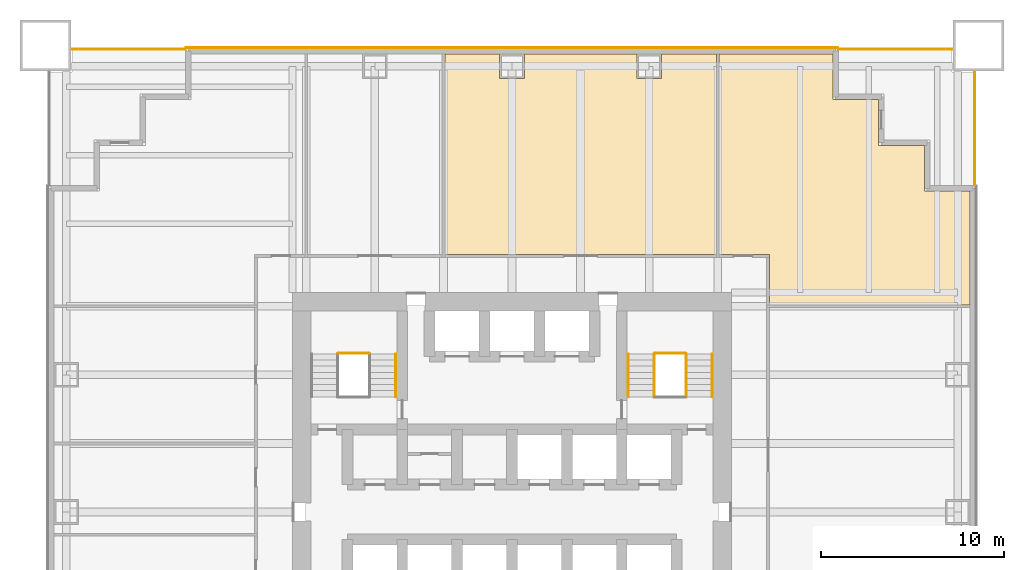
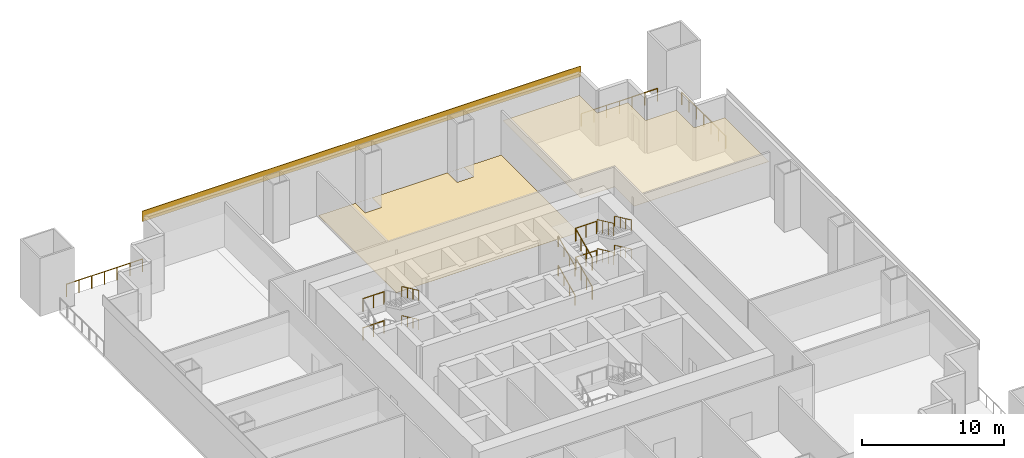
# One storey, part 6 of 6: 17 railings, 3 coverings.
"""IFC4 building model written with IfcOpenShell, lengths in metres."""

from ifc_helpers import new_model, si_unit, direction, frame, origin, origin_2d, place, context, subcontext, project, spatial, polyline, rectangle, circle, outline, extrude, material, layer, layer_set, type_object, element, save


model = new_model("IFC4")

# Units and contexts
model_context = context("Model", 3, precision=1e-05, world=origin(), true_north=direction((0.0, 1.0)))
body_context = subcontext(model_context, "Body", "Model", "MODEL_VIEW")
ifc_project = project(units=[si_unit("LENGTHUNIT", "METRE"), si_unit("AREAUNIT", "SQUARE_METRE"), si_unit("VOLUMEUNIT", "CUBIC_METRE"), si_unit("PLANEANGLEUNIT", "RADIAN"), si_unit("MASSUNIT", "GRAM", prefix="KILO")], contexts=[model_context])

# Site, building, storey
site_placement = place(None, origin())
site = spatial("IfcSite", under=ifc_project, at=site_placement, CompositionType="ELEMENT")
building_placement = place(site_placement, origin())
building = spatial("IfcBuilding", under=site, at=building_placement, Name="Tarangal Relay Tower", CompositionType="ELEMENT")
storey_placement = place(building_placement, frame((0.0, 0.0, 93.39990234375)))
storey = spatial("IfcBuildingStorey", under=building, at=storey_placement, Name="L18", CompositionType="ELEMENT", Elevation=93.39990234375)

# Coverings
ifc_material_1 = material(Name="Anti-static vinyl flooring", Category="plastic")
ifc_layer_1 = layer(ifc_material_1, 0.010009765625)
ifc_layer_set_1 = layer_set([ifc_layer_1], Name="Anti-static vinyl floor")
covering_type_1 = type_object("IfcCoveringType", Name="Anti-static vinyl floor", PredefinedType="FLOORING", material=ifc_layer_set_1)
covering_1_placement = place(storey_placement, origin())
element("IfcCovering", 1, at=covering_1_placement, inside=storey, type_object=covering_type_1, Name="Floor finish FL1 L18-03", PredefinedType="FLOORING", context=body_context, shape_type="SweptSolid", body=[
    extrude(outline(polyline([(11.175048828125, 25.050048828125), (-3.675048828125, 25.050048828125), (-3.675048828125, 14.074951171875), (11.175048828125, 14.074951171875), (11.175048828125, 25.050048828125)]), holes=[polyline([(0.675048828125, 23.68994140625), (0.675048828125, 25.0400390625), (-0.675048828125, 25.0400390625), (-0.675048828125, 23.68994140625), (0.675048828125, 23.68994140625)]), polyline([(8.175048828125, 23.68994140625), (8.175048828125, 25.0400390625), (6.824951171875, 25.0400390625), (6.824951171875, 23.68994140625), (8.175048828125, 23.68994140625)])]), origin(), (0.0, 0.0, 1.0), 0.010009765625),
])
ifc_material_2 = material(Name="Black anodised aluminium cladding", Category="aluminium")
ifc_layer_2 = layer(ifc_material_2, 0.050048828125)
ifc_layer_set_2 = layer_set([ifc_layer_2], Name="Black metal spandrel band")
covering_type_2 = type_object("IfcCoveringType", Name="Black metal spandrel band", PredefinedType="CLADDING", material=ifc_layer_set_2)
covering_2_placement = place(storey_placement, frame((0.0, 25.375, 4.250244140625), z_axis=(0.0, 0.0, 1.0), x_axis=(1.0, 0.0, 0.0)))
element("IfcCovering", 2, at=covering_2_placement, inside=storey, type_object=covering_type_2, Name="Spandrel band SB1 N L18", PredefinedType="CLADDING", context=body_context, shape_type="SweptSolid", body=[
    extrude(rectangle(XDim=35.699951171875, YDim=0.050048828125, at=origin_2d()), origin(), (0.0, 0.0, 1.0), 0.89990234375),
])

# Railings
ifc_material_3 = material(Name="Steel guard, black finish", Category="steel")
railing_type_1 = type_object("IfcRailingType", Name="Stair guard 1100", PredefinedType="GUARDRAIL", material=ifc_material_3)
for number, where, name in (
    (3, (-9.5, 8.675048828125, 1.25), "Stair ST-A landing guard GR1 L18"),
    (4, (-9.5, 8.675048828125, 3.75), "Stair ST-A landing guard GR1 L18"),
):
    element("IfcRailing", number, at=place(storey_placement, frame(where)), inside=storey, type_object=railing_type_1, Name=name, PredefinedType="GUARDRAIL", context=body_context, shape_type="SweptSolid", body=[
        extrude(circle(Radius=0.02392578125, at=origin_2d()), frame((0.0, 0.0, 1.076171875), z_axis=(1.0, 0.0, 0.0), x_axis=(0.0, 1.0, 0.0)), (0.0, 0.0, 1.0), 1.699951171875),
        extrude(circle(Radius=0.02099609375, at=origin_2d()), origin(), (0.0, 0.0, 1.0), 1.052001953125),
        extrude(circle(Radius=0.02099609375, at=origin_2d()), frame((0.85009765625, 0.0, 0.0)), (0.0, 0.0, 1.0), 1.052001953125),
        extrude(circle(Radius=0.02099609375, at=origin_2d()), frame((1.699951171875, 0.0, 0.0)), (0.0, 0.0, 1.0), 1.052001953125),
    ])
railing_1_placement = place(storey_placement, frame((7.77001953125, 6.300048828125, 0.156494140625)))
element("IfcRailing", 5, at=railing_1_placement, inside=storey, type_object=railing_type_1, Name="Stair ST-B guard GR1 L18 flight 1", PredefinedType="GUARDRAIL", context=body_context, shape_type="SweptSolid", body=[
    extrude(circle(Radius=0.02392578125, at=origin_2d()), frame((0.0, 0.0, 1.076171875), z_axis=(0.0, 0.906303632821, 0.42262717037), x_axis=(-1.0, 0.0, 0.0)), (0.0, 0.0, 1.0), 2.58740234375),
    extrude(circle(Radius=0.02099609375, at=origin_2d()), origin(), (0.0, 0.0, 1.0), 1.052001953125),
    extrude(circle(Radius=0.02099609375, at=origin_2d()), frame((0.0, 0.78173828125, 0.364501953125)), (0.0, 0.0, 1.0), 1.052001953125),
    extrude(circle(Radius=0.02099609375, at=origin_2d()), frame((0.0, 1.563232421875, 0.72900390625)), (0.0, 0.0, 1.0), 1.052001953125),
    extrude(circle(Radius=0.02099609375, at=origin_2d()), frame((0.0, 2.344970703125, 1.093505859375)), (0.0, 0.0, 1.0), 1.052001953125),
])
railing_2_placement = place(storey_placement, frame((9.530029296875, 8.64501953125, 1.406494140625)))
element("IfcRailing", 6, at=railing_2_placement, inside=storey, type_object=railing_type_1, Name="Stair ST-B guard GR1 L18 flight 2", PredefinedType="GUARDRAIL", context=body_context, shape_type="SweptSolid", body=[
    extrude(circle(Radius=0.02392578125, at=origin_2d()), frame((0.0, 0.0, 1.076171875), z_axis=(0.0, -0.906303632821, 0.42262717037), x_axis=(1.0, 0.0, 0.0)), (0.0, 0.0, 1.0), 2.58740234375),
    extrude(circle(Radius=0.02099609375, at=origin_2d()), origin(), (0.0, 0.0, 1.0), 1.052001953125),
    extrude(circle(Radius=0.02099609375, at=origin_2d()), frame((0.0, -0.78173828125, 0.364501953125)), (0.0, 0.0, 1.0), 1.052001953125),
    extrude(circle(Radius=0.02099609375, at=origin_2d()), frame((0.0, -1.563232421875, 0.72900390625)), (0.0, 0.0, 1.0), 1.052001953125),
    extrude(circle(Radius=0.02099609375, at=origin_2d()), frame((0.0, -2.344970703125, 1.093505859375)), (0.0, 0.0, 1.0), 1.052001953125),
])
railing_3_placement = place(storey_placement, frame((7.77001953125, 6.300048828125, 2.656494140625)))
element("IfcRailing", 7, at=railing_3_placement, inside=storey, type_object=railing_type_1, Name="Stair ST-B guard GR1 L18 flight 3", PredefinedType="GUARDRAIL", context=body_context, shape_type="SweptSolid", body=[
    extrude(circle(Radius=0.02392578125, at=origin_2d()), frame((0.0, 0.0, 1.076171875), z_axis=(0.0, 0.906303632821, 0.42262717037), x_axis=(-1.0, 0.0, 0.0)), (0.0, 0.0, 1.0), 2.58740234375),
    extrude(circle(Radius=0.02099609375, at=origin_2d()), origin(), (0.0, 0.0, 1.0), 1.052001953125),
    extrude(circle(Radius=0.02099609375, at=origin_2d()), frame((0.0, 0.78173828125, 0.364501953125)), (0.0, 0.0, 1.0), 1.052001953125),
    extrude(circle(Radius=0.02099609375, at=origin_2d()), frame((0.0, 1.563232421875, 0.72900390625)), (0.0, 0.0, 1.0), 1.052001953125),
    extrude(circle(Radius=0.02099609375, at=origin_2d()), frame((0.0, 2.344970703125, 1.093505859375)), (0.0, 0.0, 1.0), 1.052001953125),
])
railing_4_placement = place(storey_placement, frame((9.530029296875, 8.64501953125, 3.906494140625)))
element("IfcRailing", 8, at=railing_4_placement, inside=storey, type_object=railing_type_1, Name="Stair ST-B guard GR1 L18 flight 4", PredefinedType="GUARDRAIL", context=body_context, shape_type="SweptSolid", body=[
    extrude(circle(Radius=0.02392578125, at=origin_2d()), frame((0.0, 0.0, 1.076171875), z_axis=(0.0, -0.906303632821, 0.42262717037), x_axis=(1.0, 0.0, 0.0)), (0.0, 0.0, 1.0), 2.58740234375),
    extrude(circle(Radius=0.02099609375, at=origin_2d()), origin(), (0.0, 0.0, 1.0), 1.052001953125),
    extrude(circle(Radius=0.02099609375, at=origin_2d()), frame((0.0, -0.78173828125, 0.364501953125)), (0.0, 0.0, 1.0), 1.052001953125),
    extrude(circle(Radius=0.02099609375, at=origin_2d()), frame((0.0, -1.563232421875, 0.72900390625)), (0.0, 0.0, 1.0), 1.052001953125),
    extrude(circle(Radius=0.02099609375, at=origin_2d()), frame((0.0, -2.344970703125, 1.093505859375)), (0.0, 0.0, 1.0), 1.052001953125),
])
for number, where, name in (
    (9, (7.800048828125, 8.675048828125, 1.25), "Stair ST-B landing guard GR1 L18"),
    (10, (7.800048828125, 8.675048828125, 3.75), "Stair ST-B landing guard GR1 L18"),
):
    element("IfcRailing", number, at=place(storey_placement, frame(where)), inside=storey, type_object=railing_type_1, Name=name, PredefinedType="GUARDRAIL", context=body_context, shape_type="SweptSolid", body=[
        extrude(circle(Radius=0.02392578125, at=origin_2d()), frame((0.0, 0.0, 1.076171875), z_axis=(1.0, 0.0, 0.0), x_axis=(0.0, 1.0, 0.0)), (0.0, 0.0, 1.0), 1.699951171875),
        extrude(circle(Radius=0.02099609375, at=origin_2d()), origin(), (0.0, 0.0, 1.0), 1.052001953125),
        extrude(circle(Radius=0.02099609375, at=origin_2d()), frame((0.85009765625, 0.0, 0.0)), (0.0, 0.0, 1.0), 1.052001953125),
        extrude(circle(Radius=0.02099609375, at=origin_2d()), frame((1.699951171875, 0.0, 0.0)), (0.0, 0.0, 1.0), 1.052001953125),
    ])
ifc_material_4 = material(Name="Steel handrail, black finish", Category="steel")
railing_type_2 = type_object("IfcRailingType", Name="Stair handrail 900", PredefinedType="HANDRAIL", material=ifc_material_4)
for number, where, name in (
    (11, (-6.360107421875, 8.64501953125, 1.406494140625), "Stair ST-A handrail HR1 L18 flight 2"),
    (12, (-6.360107421875, 8.64501953125, 3.906494140625), "Stair ST-A handrail HR1 L18 flight 4"),
):
    element("IfcRailing", number, at=place(storey_placement, frame(where)), inside=storey, type_object=railing_type_2, Name=name, PredefinedType="HANDRAIL", context=body_context, shape_type="SweptSolid", body=[
        extrude(circle(Radius=0.02392578125, at=origin_2d()), frame((0.0, 0.0, 0.8759765625), z_axis=(0.0, -0.906303632821, 0.42262717037), x_axis=(1.0, 0.0, 0.0)), (0.0, 0.0, 1.0), 2.58740234375),
        extrude(circle(Radius=0.02099609375, at=origin_2d()), origin(), (0.0, 0.0, 1.0), 0.851806640625),
        extrude(circle(Radius=0.02099609375, at=origin_2d()), frame((0.0, -0.78173828125, 0.364501953125)), (0.0, 0.0, 1.0), 0.851806640625),
        extrude(circle(Radius=0.02099609375, at=origin_2d()), frame((0.0, -1.563232421875, 0.72900390625)), (0.0, 0.0, 1.0), 0.851806640625),
        extrude(circle(Radius=0.02099609375, at=origin_2d()), frame((0.0, -2.344970703125, 1.093505859375)), (0.0, 0.0, 1.0), 0.851806640625),
    ])
railing_5_placement = place(storey_placement, frame((6.360107421875, 6.300048828125, 0.156494140625)))
element("IfcRailing", 13, at=railing_5_placement, inside=storey, type_object=railing_type_2, Name="Stair ST-B handrail HR1 L18 flight 1", PredefinedType="HANDRAIL", context=body_context, shape_type="SweptSolid", body=[
    extrude(circle(Radius=0.02392578125, at=origin_2d()), frame((0.0, 0.0, 0.8759765625), z_axis=(0.0, 0.906303632821, 0.42262717037), x_axis=(-1.0, 0.0, 0.0)), (0.0, 0.0, 1.0), 2.58740234375),
    extrude(circle(Radius=0.02099609375, at=origin_2d()), origin(), (0.0, 0.0, 1.0), 0.851806640625),
    extrude(circle(Radius=0.02099609375, at=origin_2d()), frame((0.0, 0.78173828125, 0.364501953125)), (0.0, 0.0, 1.0), 0.851806640625),
    extrude(circle(Radius=0.02099609375, at=origin_2d()), frame((0.0, 1.563232421875, 0.72900390625)), (0.0, 0.0, 1.0), 0.851806640625),
    extrude(circle(Radius=0.02099609375, at=origin_2d()), frame((0.0, 2.344970703125, 1.093505859375)), (0.0, 0.0, 1.0), 0.851806640625),
])
railing_6_placement = place(storey_placement, frame((10.93994140625, 8.64501953125, 1.406494140625)))
element("IfcRailing", 14, at=railing_6_placement, inside=storey, type_object=railing_type_2, Name="Stair ST-B handrail HR1 L18 flight 2", PredefinedType="HANDRAIL", context=body_context, shape_type="SweptSolid", body=[
    extrude(circle(Radius=0.02392578125, at=origin_2d()), frame((0.0, 0.0, 0.8759765625), z_axis=(0.0, -0.906303632821, 0.42262717037), x_axis=(1.0, 0.0, 0.0)), (0.0, 0.0, 1.0), 2.58740234375),
    extrude(circle(Radius=0.02099609375, at=origin_2d()), origin(), (0.0, 0.0, 1.0), 0.851806640625),
    extrude(circle(Radius=0.02099609375, at=origin_2d()), frame((0.0, -0.78173828125, 0.364501953125)), (0.0, 0.0, 1.0), 0.851806640625),
    extrude(circle(Radius=0.02099609375, at=origin_2d()), frame((0.0, -1.563232421875, 0.72900390625)), (0.0, 0.0, 1.0), 0.851806640625),
    extrude(circle(Radius=0.02099609375, at=origin_2d()), frame((0.0, -2.344970703125, 1.093505859375)), (0.0, 0.0, 1.0), 0.851806640625),
])
railing_7_placement = place(storey_placement, frame((6.360107421875, 6.300048828125, 2.656494140625)))
element("IfcRailing", 15, at=railing_7_placement, inside=storey, type_object=railing_type_2, Name="Stair ST-B handrail HR1 L18 flight 3", PredefinedType="HANDRAIL", context=body_context, shape_type="SweptSolid", body=[
    extrude(circle(Radius=0.02392578125, at=origin_2d()), frame((0.0, 0.0, 0.8759765625), z_axis=(0.0, 0.906303632821, 0.42262717037), x_axis=(-1.0, 0.0, 0.0)), (0.0, 0.0, 1.0), 2.58740234375),
    extrude(circle(Radius=0.02099609375, at=origin_2d()), origin(), (0.0, 0.0, 1.0), 0.851806640625),
    extrude(circle(Radius=0.02099609375, at=origin_2d()), frame((0.0, 0.78173828125, 0.364501953125)), (0.0, 0.0, 1.0), 0.851806640625),
    extrude(circle(Radius=0.02099609375, at=origin_2d()), frame((0.0, 1.563232421875, 0.72900390625)), (0.0, 0.0, 1.0), 0.851806640625),
    extrude(circle(Radius=0.02099609375, at=origin_2d()), frame((0.0, 2.344970703125, 1.093505859375)), (0.0, 0.0, 1.0), 0.851806640625),
])
railing_8_placement = place(storey_placement, frame((10.93994140625, 8.64501953125, 3.906494140625)))
element("IfcRailing", 16, at=railing_8_placement, inside=storey, type_object=railing_type_2, Name="Stair ST-B handrail HR1 L18 flight 4", PredefinedType="HANDRAIL", context=body_context, shape_type="SweptSolid", body=[
    extrude(circle(Radius=0.02392578125, at=origin_2d()), frame((0.0, 0.0, 0.8759765625), z_axis=(0.0, -0.906303632821, 0.42262717037), x_axis=(1.0, 0.0, 0.0)), (0.0, 0.0, 1.0), 2.58740234375),
    extrude(circle(Radius=0.02099609375, at=origin_2d()), origin(), (0.0, 0.0, 1.0), 0.851806640625),
    extrude(circle(Radius=0.02099609375, at=origin_2d()), frame((0.0, -0.78173828125, 0.364501953125)), (0.0, 0.0, 1.0), 0.851806640625),
    extrude(circle(Radius=0.02099609375, at=origin_2d()), frame((0.0, -1.563232421875, 0.72900390625)), (0.0, 0.0, 1.0), 0.851806640625),
    extrude(circle(Radius=0.02099609375, at=origin_2d()), frame((0.0, -2.344970703125, 1.093505859375)), (0.0, 0.0, 1.0), 0.851806640625),
])

# Covering
ifc_material_5 = material(Name="Mineral fibre ceiling tiles", Category="gypsum")
ifc_layer_3 = layer(ifc_material_5, 0.02001953125)
ifc_layer_set_3 = layer_set([ifc_layer_3], Name="Suspended ceiling")
covering_type_3 = type_object("IfcCoveringType", Name="Suspended ceiling", PredefinedType="CEILING", material=ifc_layer_set_3)
covering_3_placement = place(storey_placement, frame((0.0, 0.0, 2.900146484375)))
element("IfcCovering", 17, at=covering_3_placement, inside=storey, type_object=covering_type_3, Name="Suspended ceiling CL1 L18-14", PredefinedType="CEILING", context=body_context, shape_type="SweptSolid", body=[
    extrude(outline(polyline([(17.550048828125, 25.050048828125), (11.324951171875, 25.050048828125), (11.324951171875, 14.074951171875), (14.074951171875, 14.074951171875), (14.074951171875, 11.324951171875), (25.050048828125, 11.324951171875), (25.050048828125, 17.550048828125), (22.550048828125, 17.550048828125), (22.550048828125, 20.050048828125), (20.050048828125, 20.050048828125), (20.050048828125, 22.550048828125), (17.550048828125, 22.550048828125), (17.550048828125, 25.050048828125)])), origin(), (0.0, 0.0, 1.0), 0.02001953125),
])

# Railings
ifc_material_6 = material(Name="Black steel guard with glass infill", Category="steel")
railing_type_3 = type_object("IfcRailingType", Name="Terrace guard 1100", PredefinedType="GUARDRAIL", material=ifc_material_6)
railing_9_placement = place(storey_placement, frame((17.85009765625, 25.300048828125, 0.0)))
element("IfcRailing", 18, at=railing_9_placement, inside=storey, type_object=railing_type_3, Name="Terrace guard GR2 NE L18", PredefinedType="GUARDRAIL", context=body_context, shape_type="SweptSolid", body=[
    extrude(circle(Radius=0.02392578125, at=origin_2d()), frame((0.0, 0.0, 1.076171875), z_axis=(1.0, 0.0, 0.0), x_axis=(0.0, 1.0, 0.0)), (0.0, 0.0, 1.0), 6.199951171875),
    extrude(circle(Radius=0.02099609375, at=origin_2d()), origin(), (0.0, 0.0, 1.0), 1.052001953125),
    extrude(circle(Radius=0.02099609375, at=origin_2d()), frame((1.033203125, 0.0, 0.0)), (0.0, 0.0, 1.0), 1.052001953125),
    extrude(circle(Radius=0.02099609375, at=origin_2d()), frame((2.066650390625, 0.0, 0.0)), (0.0, 0.0, 1.0), 1.052001953125),
    extrude(circle(Radius=0.02099609375, at=origin_2d()), frame((3.10009765625, 0.0, 0.0)), (0.0, 0.0, 1.0), 1.052001953125),
    extrude(circle(Radius=0.02099609375, at=origin_2d()), frame((4.13330078125, 0.0, 0.0)), (0.0, 0.0, 1.0), 1.052001953125),
    extrude(circle(Radius=0.02099609375, at=origin_2d()), frame((5.16650390625, 0.0, 0.0)), (0.0, 0.0, 1.0), 1.052001953125),
    extrude(circle(Radius=0.02099609375, at=origin_2d()), frame((6.199951171875, 0.0, 0.0)), (0.0, 0.0, 1.0), 1.052001953125),
])
railing_10_placement = place(storey_placement, frame((25.300048828125, 24.050048828125, 0.0)))
element("IfcRailing", 19, at=railing_10_placement, inside=storey, type_object=railing_type_3, Name="Terrace guard GR2 NE L18", PredefinedType="GUARDRAIL", context=body_context, shape_type="SweptSolid", body=[
    extrude(circle(Radius=0.02392578125, at=origin_2d()), frame((0.0, 0.0, 1.076171875), z_axis=(0.0, -1.0, 0.0), x_axis=(1.0, 0.0, 0.0)), (0.0, 0.0, 1.0), 6.199951171875),
    extrude(circle(Radius=0.02099609375, at=origin_2d()), origin(), (0.0, 0.0, 1.0), 1.052001953125),
    extrude(circle(Radius=0.02099609375, at=origin_2d()), frame((0.0, -1.033203125, 0.0)), (0.0, 0.0, 1.0), 1.052001953125),
    extrude(circle(Radius=0.02099609375, at=origin_2d()), frame((0.0, -2.066650390625, 0.0)), (0.0, 0.0, 1.0), 1.052001953125),
    extrude(circle(Radius=0.02099609375, at=origin_2d()), frame((0.0, -3.10009765625, 0.0)), (0.0, 0.0, 1.0), 1.052001953125),
    extrude(circle(Radius=0.02099609375, at=origin_2d()), frame((0.0, -4.13330078125, 0.0)), (0.0, 0.0, 1.0), 1.052001953125),
    extrude(circle(Radius=0.02099609375, at=origin_2d()), frame((0.0, -5.16650390625, 0.0)), (0.0, 0.0, 1.0), 1.052001953125),
    extrude(circle(Radius=0.02099609375, at=origin_2d()), frame((0.0, -6.199951171875, 0.0)), (0.0, 0.0, 1.0), 1.052001953125),
])
railing_11_placement = place(storey_placement, frame((-24.050048828125, 25.300048828125, 0.0)))
element("IfcRailing", 20, at=railing_11_placement, inside=storey, type_object=railing_type_3, Name="Terrace guard GR2 NW L18", PredefinedType="GUARDRAIL", context=body_context, shape_type="SweptSolid", body=[
    extrude(circle(Radius=0.02392578125, at=origin_2d()), frame((0.0, 0.0, 1.076171875), z_axis=(1.0, 0.0, 0.0), x_axis=(0.0, 1.0, 0.0)), (0.0, 0.0, 1.0), 6.199951171875),
    extrude(circle(Radius=0.02099609375, at=origin_2d()), origin(), (0.0, 0.0, 1.0), 1.052001953125),
    extrude(circle(Radius=0.02099609375, at=origin_2d()), frame((1.033203125, 0.0, 0.0)), (0.0, 0.0, 1.0), 1.052001953125),
    extrude(circle(Radius=0.02099609375, at=origin_2d()), frame((2.066650390625, 0.0, 0.0)), (0.0, 0.0, 1.0), 1.052001953125),
    extrude(circle(Radius=0.02099609375, at=origin_2d()), frame((3.10009765625, 0.0, 0.0)), (0.0, 0.0, 1.0), 1.052001953125),
    extrude(circle(Radius=0.02099609375, at=origin_2d()), frame((4.13330078125, 0.0, 0.0)), (0.0, 0.0, 1.0), 1.052001953125),
    extrude(circle(Radius=0.02099609375, at=origin_2d()), frame((5.16650390625, 0.0, 0.0)), (0.0, 0.0, 1.0), 1.052001953125),
    extrude(circle(Radius=0.02099609375, at=origin_2d()), frame((6.199951171875, 0.0, 0.0)), (0.0, 0.0, 1.0), 1.052001953125),
])

save(model, "model.ifc")
